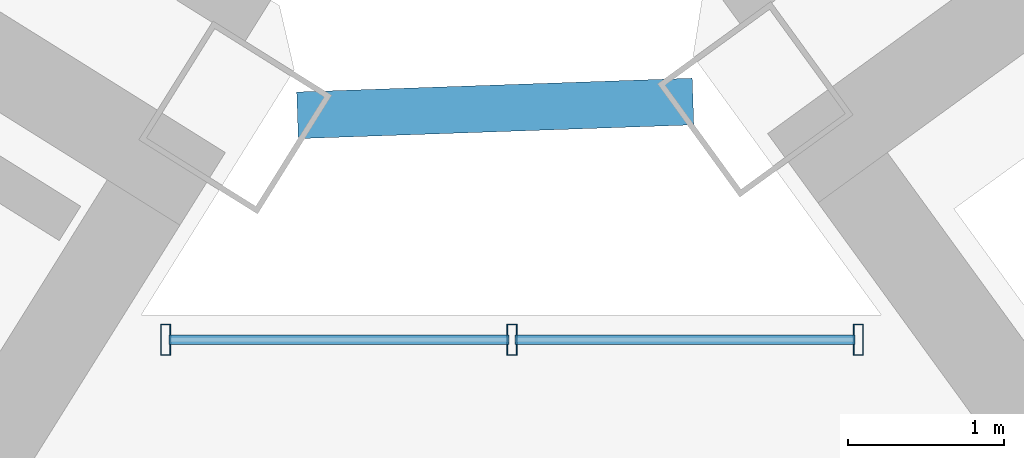
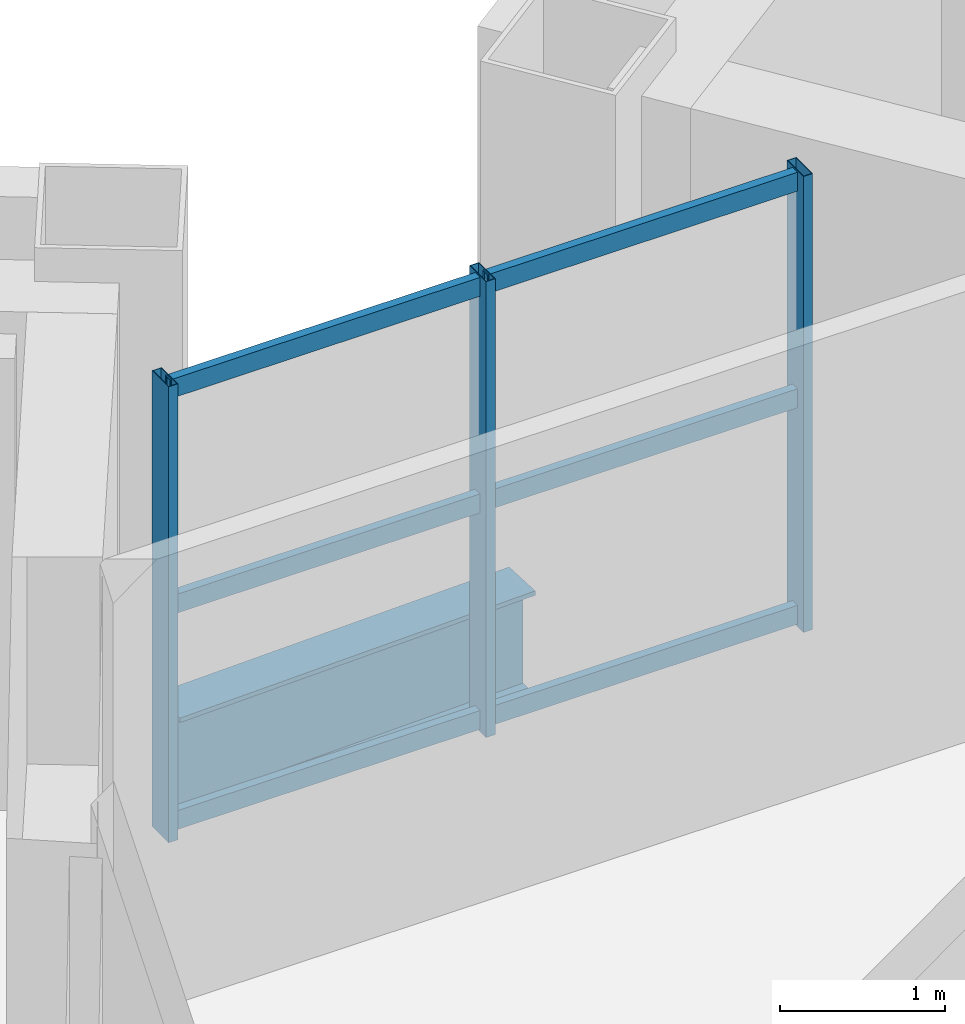
# One storey, part 12 of 25: 9 members, 1 beam, 1 element without a shape of its own.
"""IFC4 building model written with IfcOpenShell, lengths in metres."""

from ifc_helpers import new_model, si_unit, direction, frame, origin, origin_2d, place, context, subcontext, project, spatial, hollow_rectangle, i_section, extrude, source, transform, mapped, material, material_profile, profile_set, type_object, element, aggregate, save


model = new_model("IFC4")

# Units and contexts
model_context = context("Model", 3, precision=1e-05, world=origin(), true_north=direction((0.0, 1.0)))
body_context = subcontext(model_context, "Body", "Model", "MODEL_VIEW")
ifc_project = project(units=[si_unit("LENGTHUNIT", "METRE"), si_unit("AREAUNIT", "SQUARE_METRE"), si_unit("VOLUMEUNIT", "CUBIC_METRE"), si_unit("PLANEANGLEUNIT", "RADIAN"), si_unit("MASSUNIT", "GRAM", prefix="KILO")], contexts=[model_context])

# Site, building, storey
site_placement = place(None, origin())
site = spatial("IfcSite", under=ifc_project, at=site_placement, CompositionType="ELEMENT")
building_placement = place(site_placement, origin())
building = spatial("IfcBuilding", under=site, at=building_placement, Name="Tlacorven Tower", CompositionType="ELEMENT")
storey_placement = place(building_placement, frame((0.0, 0.0, 155.10009765625)))
storey = spatial("IfcBuildingStorey", under=building, at=storey_placement, Name="L39", CompositionType="ELEMENT", Elevation=155.10009765625)

# Beam
ifc_material_1 = material(Name="Steel S355J2", Category="steel")
ifc_material_profile_1 = material_profile(ifc_material_1, i_section(OverallWidth=0.300048828125, OverallDepth=0.800048828125, WebThickness=0.017578125, FlangeThickness=0.032958984375, at=origin_2d()), Name="HEB 800")
ifc_profile_set_1 = profile_set([ifc_material_profile_1], Name="Steel S355J2")
beam_type = type_object("IfcBeamType", Name="BM-POD-800", PredefinedType="BEAM", material=ifc_profile_set_1)
shared_shape_1 = source(origin(), body_context, "Body", "SweptSolid", [
    extrude(i_section(OverallWidth=0.300048828125, OverallDepth=0.800048828125, WebThickness=0.017578125, FlangeThickness=0.032958984375, at=origin_2d()), origin(), (0.0, 0.0, 1.0), 2.542724609375),
])
beam_placement = place(storey_placement, frame((41.1826171875, 24.482421875, -0.650146484375), z_axis=(0.999392467766, 0.034852480142, 0.0), x_axis=(-0.034852480142, 0.999392467766, 0.0)))
element("IfcBeam", 1, at=beam_placement, inside=storey, type_object=beam_type, Name="L39 Knuckle Link Girder 1", PredefinedType="BEAM", context=body_context, shape_type="MappedRepresentation", body=[
    mapped(shared_shape_1, transform((0.0, 0.0, 0.0), scale=1.0)),
])

# Curtain wall, members
ifc_material_2 = material(Name="Dark solar low-E double glazing in aluminium frame", Category="aluminium")
curtain_wall_type = type_object("IfcCurtainWallType", Name="CW-TWR-MID", PredefinedType="USERDEFINED", material=ifc_material_2)
curtain_wall_placement = place(storey_placement, origin())
curtain_wall = element("IfcCurtainWall", 2, at=curtain_wall_placement, inside=storey, type_object=curtain_wall_type, Name="L39 CW-TWR-MID Curtain Wall 177", ObjectType="UNITISED CURTAIN WALL", PredefinedType="USERDEFINED")
ifc_material_3 = material(Name="Aluminium 6063-T6 anodised", Category="aluminium")
ifc_material_profile_2 = material_profile(ifc_material_3, hollow_rectangle(XDim=0.06494140625, YDim=0.199951171875, WallThickness=0.00439453125, at=origin_2d()), Name="ALU MULLION 65X200")
ifc_profile_set_2 = profile_set([ifc_material_profile_2], Name="Aluminium 6063-T6 anodised")
member_type_1 = type_object("IfcMemberType", Name="CWM-02", PredefinedType="MULLION", material=ifc_profile_set_2)
shared_shape_2 = source(origin(), body_context, "Body", "SweptSolid", [
    extrude(hollow_rectangle(XDim=0.06494140625, YDim=0.199951171875, WallThickness=0.00439453125, at=origin_2d()), origin(), (0.0, 0.0, 1.0), 3.3798828125),
])
member_1_placement = place(storey_placement, frame((40.33544921875, 23.0400390625, -0.02001953125), z_axis=(0.0, 0.0, 1.0), x_axis=(1.0, 0.0, 0.0)))
member_1 = element("IfcMember", 3, at=member_1_placement, type_object=member_type_1, Name="CW-L39-177 Mullion 1", PredefinedType="MULLION", context=body_context, shape_type="MappedRepresentation", body=[
    mapped(shared_shape_2, transform((0.0, 0.0, 0.0), scale=1.0)),
])
member_2_placement = place(storey_placement, frame((42.560791015625, 23.0400390625, -0.02001953125), z_axis=(0.0, 0.0, 1.0), x_axis=(1.0, 0.0, 0.0)))
member_2 = element("IfcMember", 4, at=member_2_placement, type_object=member_type_1, Name="CW-L39-177 Mullion 2", PredefinedType="MULLION", context=body_context, shape_type="MappedRepresentation", body=[
    mapped(shared_shape_2, transform((0.0, 0.0, 0.0), scale=1.0)),
])
member_3_placement = place(storey_placement, frame((44.7861328125, 23.0400390625, -0.02001953125), z_axis=(0.0, 0.0, 1.0), x_axis=(1.0, 0.0, 0.0)))
member_3 = element("IfcMember", 5, at=member_3_placement, type_object=member_type_1, Name="CW-L39-177 Mullion 3", PredefinedType="MULLION", context=body_context, shape_type="MappedRepresentation", body=[
    mapped(shared_shape_2, transform((0.0, 0.0, 0.0), scale=1.0)),
])
ifc_material_profile_3 = material_profile(ifc_material_3, hollow_rectangle(XDim=0.06005859375, YDim=0.139892578125, WallThickness=0.00390625, at=origin_2d()), Name="ALU TRANSOM 60X140")
ifc_profile_set_3 = profile_set([ifc_material_profile_3], Name="Aluminium 6063-T6 anodised")
member_type_2 = type_object("IfcMemberType", Name="CWT-02", PredefinedType="USERDEFINED", material=ifc_profile_set_3)
shared_shape_3 = source(origin(), body_context, "Body", "SweptSolid", [
    extrude(hollow_rectangle(XDim=0.06005859375, YDim=0.139892578125, WallThickness=0.00390625, at=origin_2d()), origin(), (0.0, 0.0, 1.0), 2.184326171875),
])
member_4_placement = place(storey_placement, frame((40.35595703125, 23.0400390625, 0.06982421875), z_axis=(1.0, 0.0, 0.0), x_axis=(0.0, 1.0, 0.0)))
member_4 = element("IfcMember", 6, at=member_4_placement, type_object=member_type_2, Name="CW-L39-177 Transom 1", ObjectType="TRANSOM", PredefinedType="USERDEFINED", context=body_context, shape_type="MappedRepresentation", body=[
    mapped(shared_shape_3, transform((0.0, 0.0, 0.0), scale=1.0)),
])
member_5_placement = place(storey_placement, frame((40.35595703125, 23.0400390625, 1.6748046875), z_axis=(1.0, 0.0, 0.0), x_axis=(0.0, 1.0, 0.0)))
member_5 = element("IfcMember", 7, at=member_5_placement, type_object=member_type_2, Name="CW-L39-177 Transom 2", ObjectType="TRANSOM", PredefinedType="USERDEFINED", context=body_context, shape_type="MappedRepresentation", body=[
    mapped(shared_shape_3, transform((0.0, 0.0, 0.0), scale=1.0)),
])
member_6_placement = place(storey_placement, frame((40.35595703125, 23.0400390625, 3.27978515625), z_axis=(1.0, 0.0, 0.0), x_axis=(0.0, 1.0, 0.0)))
member_6 = element("IfcMember", 8, at=member_6_placement, type_object=member_type_2, Name="CW-L39-177 Transom 3", ObjectType="TRANSOM", PredefinedType="USERDEFINED", context=body_context, shape_type="MappedRepresentation", body=[
    mapped(shared_shape_3, transform((0.0, 0.0, 0.0), scale=1.0)),
])
member_7_placement = place(storey_placement, frame((42.581298828125, 23.0400390625, 0.06982421875), z_axis=(1.0, 0.0, 0.0), x_axis=(0.0, 1.0, 0.0)))
member_7 = element("IfcMember", 9, at=member_7_placement, type_object=member_type_2, Name="CW-L39-177 Transom 4", ObjectType="TRANSOM", PredefinedType="USERDEFINED", context=body_context, shape_type="MappedRepresentation", body=[
    mapped(shared_shape_3, transform((0.0, 0.0, 0.0), scale=1.0)),
])
member_8_placement = place(storey_placement, frame((42.581298828125, 23.0400390625, 1.6748046875), z_axis=(1.0, 0.0, 0.0), x_axis=(0.0, 1.0, 0.0)))
member_8 = element("IfcMember", 10, at=member_8_placement, type_object=member_type_2, Name="CW-L39-177 Transom 5", ObjectType="TRANSOM", PredefinedType="USERDEFINED", context=body_context, shape_type="MappedRepresentation", body=[
    mapped(shared_shape_3, transform((0.0, 0.0, 0.0), scale=1.0)),
])
member_9_placement = place(storey_placement, frame((42.581298828125, 23.0400390625, 3.27978515625), z_axis=(1.0, 0.0, 0.0), x_axis=(0.0, 1.0, 0.0)))
member_9 = element("IfcMember", 11, at=member_9_placement, type_object=member_type_2, Name="CW-L39-177 Transom 6", ObjectType="TRANSOM", PredefinedType="USERDEFINED", context=body_context, shape_type="MappedRepresentation", body=[
    mapped(shared_shape_3, transform((0.0, 0.0, 0.0), scale=1.0)),
])
aggregate(curtain_wall, [member_1, member_2, member_3, member_4, member_5, member_6, member_7, member_8, member_9])

save(model, "model.ifc")
